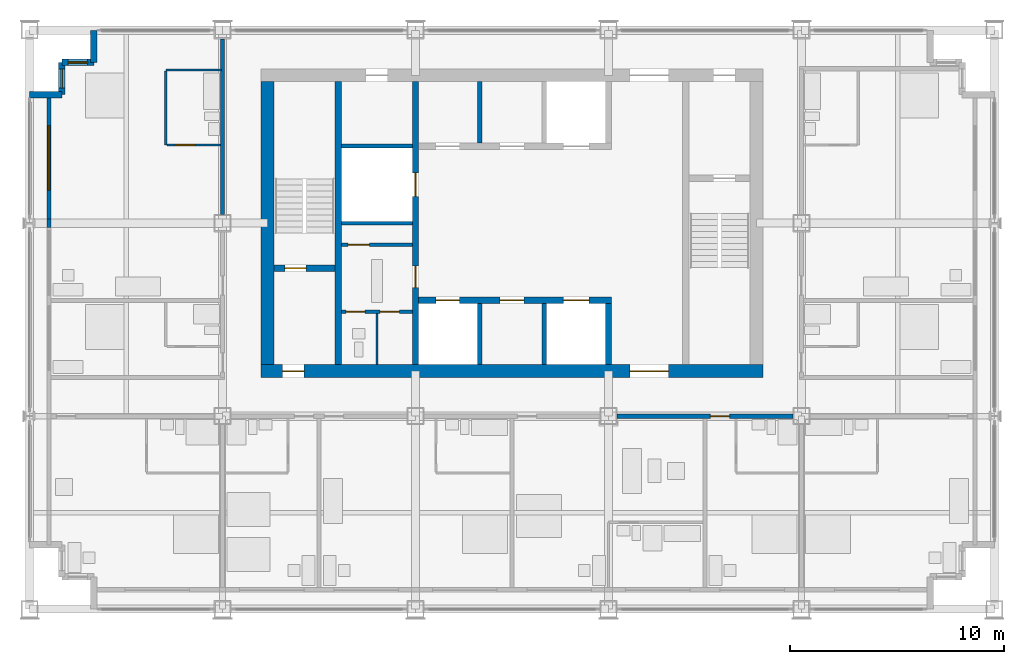
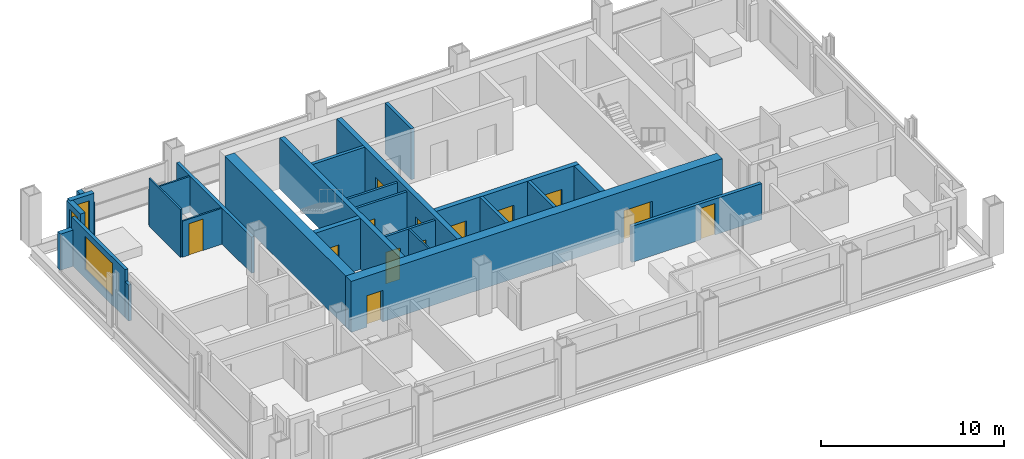
# One storey, part 8 of 13: 26 walls, 13 doors, 3 windows, 16 openings.
"""IFC4 building model written with IfcOpenShell, lengths in metres."""

from ifc_helpers import new_model, si_unit, direction, frame, frame_2d, origin, place, context, subcontext, project, spatial, rectangle, extrude, material, layer, layer_set, type_object, element, fill, save


model = new_model("IFC4")

# Units and contexts
model_context = context("Model", 3, precision=1e-05, world=origin(), true_north=direction((0.0, 1.0)))
body_context = subcontext(model_context, "Body", "Model", "MODEL_VIEW")
ifc_project = project(units=[si_unit("LENGTHUNIT", "METRE"), si_unit("AREAUNIT", "SQUARE_METRE"), si_unit("VOLUMEUNIT", "CUBIC_METRE"), si_unit("PLANEANGLEUNIT", "RADIAN"), si_unit("MASSUNIT", "GRAM", prefix="KILO")], contexts=[model_context])

# Site, building, storey
site_placement = place(None, origin())
site = spatial("IfcSite", under=ifc_project, at=site_placement, CompositionType="ELEMENT")
building_placement = place(site_placement, origin())
building = spatial("IfcBuilding", under=site, at=building_placement, Name="Loomwork Tower", CompositionType="ELEMENT")
storey_placement = place(building_placement, frame((0.0, 0.0, 211.39990234375)))
storey = spatial("IfcBuildingStorey", under=building, at=storey_placement, Name="L58", CompositionType="ELEMENT", Elevation=211.39990234375)

# Wall
ifc_material_1 = material(Name="Concrete 14000 psi (97 MPa)", Category="concrete")
ifc_layer_1 = layer(ifc_material_1, 0.300048828125)
ifc_layer_set_1 = layer_set([ifc_layer_1], Name="Core shear wall 300")
wall_type_1 = type_object("IfcWallType", Name="Core shear wall 300", PredefinedType="SHEAR", material=ifc_layer_set_1)
wall_1_placement = place(storey_placement, frame((14.39990234375, 11.39990234375, 0.0), z_axis=(0.0, 0.0, 1.0), x_axis=(0.0, 1.0, 0.0)))
element("IfcWall", 1, at=wall_1_placement, inside=storey, type_object=wall_type_1, Name="Stair A east wall L58", PredefinedType="SHEAR", context=body_context, shape_type="SweptSolid", body=[
    extrude(rectangle(XDim=13.2001953125, YDim=0.300048828125, at=frame_2d((6.60009765625, 0.0))), origin(), (0.0, 0.0, 1.0), 3.400146484375),
])

# Wall, opening, door
wall_2_placement = place(storey_placement, frame((11.39990234375, 15.89990234375, 0.0), z_axis=(0.0, 0.0, 1.0), x_axis=(1.0, 0.0, 0.0)))
wall_2 = element("IfcWall", 2, at=wall_2_placement, inside=storey, type_object=wall_type_1, Name="Stair A south wall L58", PredefinedType="SHEAR", context=body_context, shape_type="SweptSolid", body=[
    extrude(rectangle(XDim=2.85009765625, YDim=0.300048828125, at=frame_2d((1.425048828125, 0.0))), origin(), (0.0, 0.0, 1.0), 3.400146484375),
])
opening_1_placement = place(wall_2_placement, frame((0.5, 0.0, 0.0)))
opening_1 = element("IfcOpeningElement", 3, at=opening_1_placement, cuts=wall_2, Name="Opening D4", PredefinedType="OPENING", context=body_context, shape_type="SweptSolid", body=[
    extrude(rectangle(XDim=1.0, YDim=2.10009765625, at=frame_2d((0.5, 1.050048828125))), frame((0.0, 0.159912109375, 0.0), z_axis=(0.0, -1.0, 0.0), x_axis=(1.0, 0.0, 0.0)), (0.0, 0.0, 1.0), 0.320068359375),
])
ifc_material_2 = material(Name="Hollow metal door and frame")
door_type_1 = type_object("IfcDoorType", Name="Stair door 1000", OperationType="SINGLE_SWING_RIGHT", PredefinedType="DOOR", material=ifc_material_2)
door_1_placement = place(opening_1_placement, origin())
door_1 = element("IfcDoor", 4, at=door_1_placement, inside=storey, type_object=door_type_1, Name="Stair A door", OperationType="SINGLE_SWING_LEFT", OverallHeight=2.10009765625, OverallWidth=1.0, PredefinedType="DOOR", context=body_context, shape_type="SweptSolid", body=[
    extrude(rectangle(XDim=1.0, YDim=2.10009765625, at=frame_2d((0.5, 1.050048828125))), frame((0.0, 0.02490234375, 0.0), z_axis=(0.0, -1.0, 0.0), x_axis=(1.0, 0.0, 0.0)), (0.0, 0.0, 1.0), 0.050048828125),
])
fill(opening_1, door_1)

# Wall, openings, doors
wall_3_placement = place(storey_placement, frame((18.0, 11.39990234375, 0.0), z_axis=(0.0, 0.0, 1.0), x_axis=(0.0, 1.0, 0.0)))
wall_3 = element("IfcWall", 5, at=wall_3_placement, inside=storey, type_object=wall_type_1, Name="Lobby west wall L58", PredefinedType="SHEAR", context=body_context, shape_type="SweptSolid", body=[
    extrude(rectangle(XDim=13.2001953125, YDim=0.300048828125, at=frame_2d((6.60009765625, 0.0))), origin(), (0.0, 0.0, 1.0), 3.400146484375),
])
opening_2_placement = place(wall_3_placement, frame((3.60009765625, 0.0, 0.0)))
opening_2 = element("IfcOpeningElement", 6, at=opening_2_placement, cuts=wall_3, Name="Opening D5", PredefinedType="OPENING", context=body_context, shape_type="SweptSolid", body=[
    extrude(rectangle(XDim=1.0, YDim=2.10009765625, at=frame_2d((0.5, 1.050048828125))), frame((0.0, 0.159912109375, 0.0), z_axis=(0.0, -1.0, 0.0), x_axis=(1.0, 0.0, 0.0)), (0.0, 0.0, 1.0), 0.320068359375),
])
opening_3_placement = place(wall_3_placement, frame((7.85009765625, 0.0, 0.0)))
opening_3 = element("IfcOpeningElement", 7, at=opening_3_placement, cuts=wall_3, Name="Opening LD1", PredefinedType="OPENING", context=body_context, shape_type="SweptSolid", body=[
    extrude(rectangle(XDim=1.10009765625, YDim=2.10009765625, at=frame_2d((0.550048828125, 1.050048828125))), frame((0.0, 0.159912109375, 0.0), z_axis=(0.0, -1.0, 0.0), x_axis=(1.0, 0.0, 0.0)), (0.0, 0.0, 1.0), 0.320068359375),
])
ifc_material_3 = material(Name="Hollow metal door and frame")
door_type_2 = type_object("IfcDoorType", Name="Lift landing door 1100", OperationType="SLIDING_TO_LEFT", PredefinedType="DOOR", material=ifc_material_3)
door_2_placement = place(opening_3_placement, origin())
door_2 = element("IfcDoor", 8, at=door_2_placement, inside=storey, type_object=door_type_2, Name="Lift landing door LC2", OperationType="SLIDING_TO_LEFT", OverallHeight=2.10009765625, OverallWidth=1.10009765625, PredefinedType="DOOR", context=body_context, shape_type="SweptSolid", body=[
    extrude(rectangle(XDim=1.10009765625, YDim=2.10009765625, at=frame_2d((0.550048828125, 1.050048828125))), frame((0.0, 0.02490234375, 0.0), z_axis=(0.0, -1.0, 0.0), x_axis=(1.0, 0.0, 0.0)), (0.0, 0.0, 1.0), 0.050048828125),
])
fill(opening_3, door_2)
ifc_material_4 = material(Name="Hollow metal door and frame")
door_type_3 = type_object("IfcDoorType", Name="Service door 1000", OperationType="SINGLE_SWING_LEFT", PredefinedType="DOOR", material=ifc_material_4)
door_3_placement = place(opening_2_placement, origin())
door_3 = element("IfcDoor", 9, at=door_3_placement, inside=storey, type_object=door_type_3, Name="Back-of-house door south", OperationType="SINGLE_SWING_LEFT", OverallHeight=2.10009765625, OverallWidth=1.0, PredefinedType="DOOR", context=body_context, shape_type="SweptSolid", body=[
    extrude(rectangle(XDim=1.0, YDim=2.10009765625, at=frame_2d((0.5, 1.050048828125))), frame((0.0, 0.02490234375, 0.0), z_axis=(0.0, -1.0, 0.0), x_axis=(1.0, 0.0, 0.0)), (0.0, 0.0, 1.0), 0.050048828125),
])
fill(opening_2, door_3)

wall_4_placement = place(storey_placement, frame((18.14990234375, 14.39990234375, 0.0), z_axis=(0.0, 0.0, 1.0), x_axis=(1.0, 0.0, 0.0)))
wall_4 = element("IfcWall", 10, at=wall_4_placement, inside=storey, type_object=wall_type_1, Name="Lift front wall south L58", PredefinedType="SHEAR", context=body_context, shape_type="SweptSolid", body=[
    extrude(rectangle(XDim=9.0, YDim=0.300048828125, at=frame_2d((4.5, 0.0))), origin(), (0.0, 0.0, 1.0), 3.400146484375),
])
opening_4_placement = place(wall_4_placement, frame((0.800048828125, 0.0, 0.0)))
opening_4 = element("IfcOpeningElement", 11, at=opening_4_placement, cuts=wall_4, Name="Opening LD1", PredefinedType="OPENING", context=body_context, shape_type="SweptSolid", body=[
    extrude(rectangle(XDim=1.10009765625, YDim=2.10009765625, at=frame_2d((0.550048828125, 1.050048828125))), frame((0.0, 0.159912109375, 0.0), z_axis=(0.0, -1.0, 0.0), x_axis=(1.0, 0.0, 0.0)), (0.0, 0.0, 1.0), 0.320068359375),
])
opening_5_placement = place(wall_4_placement, frame((6.75, 0.0, 0.0)))
opening_5 = element("IfcOpeningElement", 12, at=opening_5_placement, cuts=wall_4, Name="Opening LD2", PredefinedType="OPENING", context=body_context, shape_type="SweptSolid", body=[
    extrude(rectangle(XDim=1.199951171875, YDim=2.10009765625, at=frame_2d((0.60009765625, 1.050048828125))), frame((0.0, 0.159912109375, 0.0), z_axis=(0.0, -1.0, 0.0), x_axis=(1.0, 0.0, 0.0)), (0.0, 0.0, 1.0), 0.320068359375),
])
opening_6_placement = place(wall_4_placement, frame((3.800048828125, 0.0, 0.0)))
opening_6 = element("IfcOpeningElement", 13, at=opening_6_placement, cuts=wall_4, Name="Opening D17", PredefinedType="OPENING", context=body_context, shape_type="SweptSolid", body=[
    extrude(rectangle(XDim=1.10009765625, YDim=2.10009765625, at=frame_2d((0.550048828125, 1.050048828125))), frame((0.0, 0.159912109375, 0.0), z_axis=(0.0, -1.0, 0.0), x_axis=(1.0, 0.0, 0.0)), (0.0, 0.0, 1.0), 0.320068359375),
])
door_4_placement = place(opening_4_placement, origin())
door_4 = element("IfcDoor", 14, at=door_4_placement, inside=storey, type_object=door_type_2, Name="Lift landing door LC1", OperationType="SLIDING_TO_LEFT", OverallHeight=2.10009765625, OverallWidth=1.10009765625, PredefinedType="DOOR", context=body_context, shape_type="SweptSolid", body=[
    extrude(rectangle(XDim=1.10009765625, YDim=2.10009765625, at=frame_2d((0.550048828125, 1.050048828125))), frame((0.0, 0.02490234375, 0.0), z_axis=(0.0, -1.0, 0.0), x_axis=(1.0, 0.0, 0.0)), (0.0, 0.0, 1.0), 0.050048828125),
])
fill(opening_4, door_4)
ifc_material_5 = material(Name="Hollow metal door and frame")
door_type_4 = type_object("IfcDoorType", Name="Lift landing door 1200", OperationType="SLIDING_TO_LEFT", PredefinedType="DOOR", material=ifc_material_5)
door_5_placement = place(opening_5_placement, origin())
door_5 = element("IfcDoor", 15, at=door_5_placement, inside=storey, type_object=door_type_4, Name="Lift landing door LF1", OperationType="SLIDING_TO_LEFT", OverallHeight=2.10009765625, OverallWidth=1.199951171875, PredefinedType="DOOR", context=body_context, shape_type="SweptSolid", body=[
    extrude(rectangle(XDim=1.199951171875, YDim=2.10009765625, at=frame_2d((0.60009765625, 1.050048828125))), frame((0.0, 0.02490234375, 0.0), z_axis=(0.0, -1.0, 0.0), x_axis=(1.0, 0.0, 0.0)), (0.0, 0.0, 1.0), 0.050048828125),
])
fill(opening_5, door_5)
ifc_material_6 = material(Name="Hollow metal door and frame")
door_type_5 = type_object("IfcDoorType", Name="Service room door 1100", OperationType="SINGLE_SWING_LEFT", PredefinedType="DOOR", material=ifc_material_6)
door_6_placement = place(opening_6_placement, frame((1.10009765625, 0.0, 0.0), z_axis=(0.0, 0.0, 1.0), x_axis=(-1.0, 0.0, 0.0)))
door_6 = element("IfcDoor", 16, at=door_6_placement, inside=storey, type_object=door_type_5, Name="Housekeeping store door L58", OperationType="SINGLE_SWING_RIGHT", OverallHeight=2.10009765625, OverallWidth=1.10009765625, PredefinedType="DOOR", context=body_context, shape_type="SweptSolid", body=[
    extrude(rectangle(XDim=1.10009765625, YDim=2.10009765625, at=frame_2d((0.550048828125, 1.050048828125))), frame((0.0, 0.02490234375, 0.0), z_axis=(0.0, -1.0, 0.0), x_axis=(1.0, 0.0, 0.0)), (0.0, 0.0, 1.0), 0.050048828125),
])
fill(opening_6, door_6)

# Wall
wall_5_placement = place(storey_placement, frame((27.0, 11.39990234375, 0.0), z_axis=(0.0, 0.0, 1.0), x_axis=(0.0, 1.0, 0.0)))
element("IfcWall", 17, at=wall_5_placement, inside=storey, type_object=wall_type_1, Name="Lift shaft end wall south L58", PredefinedType="SHEAR", context=body_context, shape_type="SweptSolid", body=[
    extrude(rectangle(XDim=2.85009765625, YDim=0.300048828125, at=frame_2d((1.425048828125, 0.0))), origin(), (0.0, 0.0, 1.0), 3.400146484375),
])

# Wall, openings, doors
ifc_material_7 = material(Name="Concrete 14000 psi (97 MPa)", Category="concrete")
ifc_layer_2 = layer(ifc_material_7, 0.60009765625)
ifc_layer_set_2 = layer_set([ifc_layer_2], Name="Core shear wall 600")
wall_type_2 = type_object("IfcWallType", Name="Core shear wall 600", PredefinedType="SHEAR", material=ifc_layer_set_2)
wall_6_placement = place(storey_placement, frame((10.800048828125, 11.10009765625, 0.0), z_axis=(0.0, 0.0, 1.0), x_axis=(1.0, 0.0, 0.0)))
wall_6 = element("IfcWall", 18, at=wall_6_placement, inside=storey, type_object=wall_type_2, Name="Core wall south L58", PredefinedType="SHEAR", context=body_context, shape_type="SweptSolid", body=[
    extrude(rectangle(XDim=23.39990234375, YDim=0.60009765625, at=frame_2d((11.699951171875, 0.0))), origin(), (0.0, 0.0, 1.0), 3.400146484375),
])
opening_7_placement = place(wall_6_placement, frame((1.0, 0.0, 0.0)))
opening_7 = element("IfcOpeningElement", 19, at=opening_7_placement, cuts=wall_6, Name="Opening D4", PredefinedType="OPENING", context=body_context, shape_type="SweptSolid", body=[
    extrude(rectangle(XDim=1.0, YDim=2.10009765625, at=frame_2d((0.5, 1.050048828125))), frame((0.0, 0.31005859375, 0.0), z_axis=(0.0, -1.0, 0.0), x_axis=(1.0, 0.0, 0.0)), (0.0, 0.0, 1.0), 0.6201171875),
])
opening_8_placement = place(wall_6_placement, frame((17.199951171875, 0.0, 0.0)))
opening_8 = element("IfcOpeningElement", 20, at=opening_8_placement, cuts=wall_6, Name="Opening D6", PredefinedType="OPENING", context=body_context, shape_type="SweptSolid", body=[
    extrude(rectangle(XDim=1.800048828125, YDim=2.10009765625, at=frame_2d((0.89990234375, 1.050048828125))), frame((0.0, 0.31005859375, 0.0), z_axis=(0.0, -1.0, 0.0), x_axis=(1.0, 0.0, 0.0)), (0.0, 0.0, 1.0), 0.6201171875),
])
ifc_material_8 = material(Name="Hollow metal door and frame")
door_type_6 = type_object("IfcDoorType", Name="Lobby passage double door 1800", OperationType="DOUBLE_DOOR_SINGLE_SWING", PredefinedType="DOOR", material=ifc_material_8)
door_7_placement = place(opening_8_placement, origin())
door_7 = element("IfcDoor", 21, at=door_7_placement, inside=storey, type_object=door_type_6, Name="Lobby passage door south", OperationType="DOUBLE_DOOR_SINGLE_SWING", OverallHeight=2.10009765625, OverallWidth=1.800048828125, PredefinedType="DOOR", context=body_context, shape_type="SweptSolid", body=[
    extrude(rectangle(XDim=1.800048828125, YDim=2.10009765625, at=frame_2d((0.89990234375, 1.050048828125))), frame((0.0, 0.02490234375, 0.0), z_axis=(0.0, -1.0, 0.0), x_axis=(1.0, 0.0, 0.0)), (0.0, 0.0, 1.0), 0.050048828125),
])
fill(opening_8, door_7)
door_8_placement = place(opening_7_placement, origin())
door_8 = element("IfcDoor", 22, at=door_8_placement, inside=storey, type_object=door_type_1, Name="Stair A vestibule door", OperationType="SINGLE_SWING_LEFT", OverallHeight=2.10009765625, OverallWidth=1.0, PredefinedType="DOOR", context=body_context, shape_type="SweptSolid", body=[
    extrude(rectangle(XDim=1.0, YDim=2.10009765625, at=frame_2d((0.5, 1.050048828125))), frame((0.0, 0.02490234375, 0.0), z_axis=(0.0, -1.0, 0.0), x_axis=(1.0, 0.0, 0.0)), (0.0, 0.0, 1.0), 0.050048828125),
])
fill(opening_7, door_8)

# Wall
wall_7_placement = place(storey_placement, frame((11.10009765625, 11.39990234375, 0.0), z_axis=(0.0, 0.0, 1.0), x_axis=(0.0, 1.0, 0.0)))
element("IfcWall", 23, at=wall_7_placement, inside=storey, type_object=wall_type_2, Name="Core wall west L58", PredefinedType="SHEAR", context=body_context, shape_type="SweptSolid", body=[
    extrude(rectangle(XDim=13.2001953125, YDim=0.60009765625, at=frame_2d((6.60009765625, 0.0))), origin(), (0.0, 0.0, 1.0), 3.400146484375),
])

# Wall, opening, door
ifc_material_9 = material(Name="Gypsum board on steel studs, one-hour", Category="steel")
ifc_layer_3 = layer(ifc_material_9, 0.199951171875)
ifc_layer_set_3 = layer_set([ifc_layer_3], Name="Corridor wall 200")
wall_type_3 = type_object("IfcWallType", Name="Corridor wall 200", PredefinedType="PARTITIONING", material=ifc_layer_set_3)
wall_8_placement = place(storey_placement, frame((27.39990234375, 9.0, 0.0), z_axis=(0.0, 0.0, 1.0), x_axis=(1.0, 0.0, 0.0)))
wall_8 = element("IfcWall", 24, at=wall_8_placement, inside=storey, type_object=wall_type_3, Name="South corridor wall 4", PredefinedType="PARTITIONING", context=body_context, shape_type="SweptSolid", body=[
    extrude(rectangle(XDim=8.2001953125, YDim=0.199951171875, at=frame_2d((4.10009765625, 0.0))), origin(), (0.0, 0.0, 1.0), 2.405029296875),
])
opening_9_placement = place(wall_8_placement, frame((4.35009765625, 0.0, 0.0)))
opening_9 = element("IfcOpeningElement", 25, at=opening_9_placement, cuts=wall_8, Name="Opening D1", PredefinedType="OPENING", context=body_context, shape_type="SweptSolid", body=[
    extrude(rectangle(XDim=0.89990234375, YDim=2.10009765625, at=frame_2d((0.449951171875, 1.050048828125))), frame((0.0, 0.10986328125, 0.0), z_axis=(0.0, -1.0, 0.0), x_axis=(1.0, 0.0, 0.0)), (0.0, 0.0, 1.0), 0.219970703125),
])
ifc_material_10 = material(Name="Hollow metal door and frame")
door_type_7 = type_object("IfcDoorType", Name="Guest room entry door 900", OperationType="SINGLE_SWING_LEFT", PredefinedType="DOOR", material=ifc_material_10)
door_9_placement = place(opening_9_placement, frame((0.89990234375, 0.0, 0.0), z_axis=(0.0, 0.0, 1.0), x_axis=(-1.0, 0.0, 0.0)))
door_9 = element("IfcDoor", 26, at=door_9_placement, inside=storey, type_object=door_type_7, Name="Guest room entry door L58 5", OperationType="SINGLE_SWING_RIGHT", OverallHeight=2.10009765625, OverallWidth=0.89990234375, PredefinedType="DOOR", context=body_context, shape_type="SweptSolid", body=[
    extrude(rectangle(XDim=0.89990234375, YDim=2.10009765625, at=frame_2d((0.449951171875, 1.050048828125))), frame((0.0, 0.02490234375, 0.0), z_axis=(0.0, -1.0, 0.0), x_axis=(1.0, 0.0, 0.0)), (0.0, 0.0, 1.0), 0.050048828125),
])
fill(opening_9, door_9)

# Walls
wall_9_placement = place(storey_placement, frame((9.0, 18.39990234375, 0.0), z_axis=(0.0, 0.0, 1.0), x_axis=(0.0, 1.0, 0.0)))
element("IfcWall", 27, at=wall_9_placement, inside=storey, type_object=wall_type_3, Name="West corridor wall 2", PredefinedType="PARTITIONING", context=body_context, shape_type="SweptSolid", body=[
    extrude(rectangle(XDim=8.2001953125, YDim=0.199951171875, at=frame_2d((4.10009765625, 0.0))), origin(), (0.0, 0.0, 1.0), 2.405029296875),
])
ifc_material_11 = material(Name="Cement board on steel studs", Category="steel")
ifc_layer_4 = layer(ifc_material_11, 0.10009765625)
ifc_layer_set_4 = layer_set([ifc_layer_4], Name="En-suite partition 100")
wall_type_4 = type_object("IfcWallType", Name="En-suite partition 100", PredefinedType="PARTITIONING", material=ifc_layer_set_4)
wall_10_placement = place(storey_placement, frame((6.35009765625, 21.64990234375, 0.0), z_axis=(0.0, 0.0, 1.0), x_axis=(0.0, 1.0, 0.0)))
element("IfcWall", 28, at=wall_10_placement, inside=storey, type_object=wall_type_4, Name="En-suite wall L58 room 8", PredefinedType="PARTITIONING", context=body_context, shape_type="SweptSolid", body=[
    extrude(rectangle(XDim=3.4501953125, YDim=0.10009765625, at=frame_2d((1.72509765625, 0.0))), origin(), (0.0, 0.0, 1.0), 3.2001953125),
])

# Wall, opening, door
wall_11_placement = place(storey_placement, frame((8.89990234375, 21.64990234375, 0.0), z_axis=(0.0, 0.0, 1.0), x_axis=(-1.0, 0.0, 0.0)))
wall_11 = element("IfcWall", 29, at=wall_11_placement, inside=storey, type_object=wall_type_4, Name="En-suite side wall L58 room 8", PredefinedType="PARTITIONING", context=body_context, shape_type="SweptSolid", body=[
    extrude(rectangle(XDim=2.5, YDim=0.10009765625, at=frame_2d((1.25, 0.0))), origin(), (0.0, 0.0, 1.0), 2.404052734375),
])
opening_10_placement = place(wall_11_placement, frame((1.199951171875, 0.0, 0.0)))
opening_10 = element("IfcOpeningElement", 30, at=opening_10_placement, cuts=wall_11, Name="Opening D2", PredefinedType="OPENING", context=body_context, shape_type="SweptSolid", body=[
    extrude(rectangle(XDim=0.89990234375, YDim=2.10009765625, at=frame_2d((0.449951171875, 1.050048828125))), frame((0.0, 0.06005859375, 0.0), z_axis=(0.0, -1.0, 0.0), x_axis=(1.0, 0.0, 0.0)), (0.0, 0.0, 1.0), 0.1201171875),
])
ifc_material_12 = material(Name="Hollow metal door and frame")
door_type_8 = type_object("IfcDoorType", Name="En-suite door 900", OperationType="SINGLE_SWING_LEFT", PredefinedType="DOOR", material=ifc_material_12)
door_10_placement = place(opening_10_placement, frame((0.89990234375, 0.0, 0.0), z_axis=(0.0, 0.0, 1.0), x_axis=(-1.0, 0.0, 0.0)))
door_10 = element("IfcDoor", 31, at=door_10_placement, inside=storey, type_object=door_type_8, Name="En-suite door room 8", OperationType="SINGLE_SWING_LEFT", OverallHeight=2.10009765625, OverallWidth=0.89990234375, PredefinedType="DOOR", context=body_context, shape_type="SweptSolid", body=[
    extrude(rectangle(XDim=0.89990234375, YDim=2.10009765625, at=frame_2d((0.449951171875, 1.050048828125))), frame((0.0, 0.02490234375, 0.0), z_axis=(0.0, -1.0, 0.0), x_axis=(1.0, 0.0, 0.0)), (0.0, 0.0, 1.0), 0.050048828125),
])
fill(opening_10, door_10)

# Walls
wall_12_placement = place(storey_placement, frame((6.35009765625, 25.14990234375, 0.0), z_axis=(0.0, 0.0, 1.0), x_axis=(1.0, 0.0, 0.0)))
element("IfcWall", 32, at=wall_12_placement, inside=storey, type_object=wall_type_4, Name="En-suite wall L58 stub", PredefinedType="PARTITIONING", context=body_context, shape_type="SweptSolid", body=[
    extrude(rectangle(XDim=2.599853515625, YDim=0.10009765625, at=frame_2d((1.2998046875, 0.0))), origin(), (0.0, 0.0, 1.0), 2.404052734375),
])
wall_13_placement = place(storey_placement, frame((16.199951171875, 11.39990234375, 0.0), z_axis=(0.0, 0.0, 1.0), x_axis=(0.0, 1.0, 0.0)))
element("IfcWall", 33, at=wall_13_placement, inside=storey, type_object=wall_type_4, Name="Back-of-house partition L58 2", PredefinedType="PARTITIONING", context=body_context, shape_type="SweptSolid", body=[
    extrude(rectangle(XDim=2.400146484375, YDim=0.10009765625, at=frame_2d((1.2001953125, 0.0))), origin(), (0.0, 0.0, 1.0), 3.2001953125),
])
ifc_material_13 = material(Name="Insulated steel stud wall with gypsum lining", Category="steel")
ifc_layer_5 = layer(ifc_material_13, 0.199951171875)
ifc_layer_set_5 = layer_set([ifc_layer_5], Name="Inner skin wall 200")
wall_type_5 = type_object("IfcWallType", Name="Inner skin wall 200", PredefinedType="SOLIDWALL", material=ifc_layer_set_5)
wall_14_placement = place(storey_placement, frame((0.89990234375, 17.80615234375, 0.0), z_axis=(0.0, 0.0, 1.0), x_axis=(0.0, 1.0, 0.0)))
element("IfcWall", 34, at=wall_14_placement, inside=storey, type_object=wall_type_5, Name="Inner skin wall W bay 6", PredefinedType="SOLIDWALL", context=body_context, shape_type="SweptSolid", body=[
    extrude(rectangle(XDim=0.3876953125, YDim=0.199951171875, at=frame_2d((0.19384765625, 0.0))), origin(), (0.0, 0.0, 1.0), 2.404052734375),
])

# Wall, opening, window
wall_15_placement = place(storey_placement, frame((0.89990234375, 18.19384765625, 0.0), z_axis=(0.0, 0.0, 1.0), x_axis=(0.0, 1.0, 0.0)))
wall_15 = element("IfcWall", 35, at=wall_15_placement, inside=storey, type_object=wall_type_5, Name="Inner skin wall W bay 7", PredefinedType="SOLIDWALL", context=body_context, shape_type="SweptSolid", body=[
    extrude(rectangle(XDim=5.80615234375, YDim=0.199951171875, at=frame_2d((2.903076171875, 0.0))), origin(), (0.0, 0.0, 1.0), 3.2001953125),
])
opening_11_placement = place(wall_15_placement, frame((1.356201171875, 0.0, 0.60009765625)))
opening_11 = element("IfcOpeningElement", 36, at=opening_11_placement, cuts=wall_15, Name="Opening CH1", PredefinedType="OPENING", context=body_context, shape_type="SweptSolid", body=[
    extrude(rectangle(XDim=3.0, YDim=2.199951171875, at=frame_2d((1.5, 1.10009765625))), frame((0.0, 0.10986328125, 0.0), z_axis=(0.0, -1.0, 0.0), x_axis=(1.0, 0.0, 0.0)), (0.0, 0.0, 1.0), 0.219970703125),
])
ifc_material_14 = material(Name="Aluminium frame with clear insulated glass", Category="aluminium")
window_type_1 = type_object("IfcWindowType", Name="Chicago window 3000", PartitioningType="TRIPLE_PANEL_VERTICAL", PredefinedType="WINDOW", material=ifc_material_14)
window_1_placement = place(opening_11_placement, origin())
window_1 = element("IfcWindow", 37, at=window_1_placement, inside=storey, type_object=window_type_1, Name="Chicago window L58 bay 7", OverallHeight=2.199951171875, OverallWidth=3.0, PartitioningType="TRIPLE_PANEL_VERTICAL", PredefinedType="WINDOW", context=body_context, shape_type="SweptSolid", body=[
    extrude(rectangle(XDim=3.0, YDim=2.199951171875, at=frame_2d((1.5, 1.10009765625))), frame((0.0, 0.030029296875, 0.0), z_axis=(0.0, -1.0, 0.0), x_axis=(1.0, 0.0, 0.0)), (0.0, 0.0, 1.0), 0.06005859375),
])
fill(opening_11, window_1)

# Walls
ifc_material_15 = material(Name="Concrete 14000 psi (97 MPa)", Category="concrete")
ifc_layer_6 = layer(ifc_material_15, 0.199951171875)
ifc_layer_set_6 = layer_set([ifc_layer_6], Name="Lift shaft wall 200")
wall_type_6 = type_object("IfcWallType", Name="Lift shaft wall 200", PredefinedType="SHEAR", material=ifc_layer_set_6)
for number, where, z_axis, x_axis, name in (
    (38, (21.0, 11.39990234375, 0.0), (0.0, 0.0, 1.0), (0.0, 1.0, 0.0), "Lift shaft separation wall south 1 L58"),
    (39, (24.0, 11.39990234375, 0.0), (0.0, 0.0, 1.0), (0.0, 1.0, 0.0), "Lift shaft separation wall south 2 L58"),
    (40, (21.0, 21.75, 0.0), (0.0, 0.0, 1.0), (0.0, 1.0, 0.0), "Lift shaft separation wall north 1 L58"),
):
    element("IfcWall", number, at=place(storey_placement, frame(where, z_axis=z_axis, x_axis=x_axis)), inside=storey, type_object=wall_type_6, Name=name, PredefinedType="SHEAR", context=body_context, shape_type="SweptSolid", body=[
        extrude(rectangle(XDim=2.85009765625, YDim=0.199951171875, at=frame_2d((1.425048828125, 0.0))), origin(), (0.0, 0.0, 1.0), 3.400146484375),
    ])
wall_16_placement = place(storey_placement, frame((14.550048828125, 21.60009765625, 0.0), z_axis=(0.0, 0.0, 1.0), x_axis=(1.0, 0.0, 0.0)))
element("IfcWall", 41, at=wall_16_placement, inside=storey, type_object=wall_type_6, Name="Lift shaft wall west north L58", PredefinedType="SHEAR", context=body_context, shape_type="SweptSolid", body=[
    extrude(rectangle(XDim=3.300048828125, YDim=0.199951171875, at=frame_2d((1.64990234375, 0.0))), origin(), (0.0, 0.0, 1.0), 3.400146484375),
])
ifc_material_16 = material(Name="Limestone on concrete masonry", Category="masonry")
ifc_layer_7 = layer(ifc_material_16, 0.300048828125)
ifc_layer_set_7 = layer_set([ifc_layer_7], Name="Limestone corner wall 300")
wall_type_7 = type_object("IfcWallType", Name="Limestone corner wall 300", PredefinedType="SOLIDWALL", material=ifc_layer_set_7)
wall_17_placement = place(storey_placement, frame((3.0, 27.0, 0.0), z_axis=(0.0, 0.0, 1.0), x_axis=(0.0, -1.0, 0.0)))
element("IfcWall", 42, at=wall_17_placement, inside=storey, type_object=wall_type_7, Name="Stone corner wall NW 1", PredefinedType="SOLIDWALL", context=body_context, shape_type="SweptSolid", body=[
    extrude(rectangle(XDim=1.5, YDim=0.300048828125, at=frame_2d((0.75, 0.0))), origin(), (0.0, 0.0, 1.0), 2.420166015625),
])

# Wall, opening, window
wall_18_placement = place(storey_placement, frame((3.0, 25.5, 0.0), z_axis=(0.0, 0.0, 1.0), x_axis=(-1.0, 0.0, 0.0)))
wall_18 = element("IfcWall", 43, at=wall_18_placement, inside=storey, type_object=wall_type_7, Name="Stone corner wall NW 2", PredefinedType="SOLIDWALL", context=body_context, shape_type="SweptSolid", body=[
    extrude(rectangle(XDim=1.5, YDim=0.300048828125, at=frame_2d((0.75, 0.0))), origin(), (0.0, 0.0, 1.0), 3.2001953125),
])
opening_12_placement = place(wall_18_placement, frame((0.300048828125, 0.0, 0.60009765625)))
opening_12 = element("IfcOpeningElement", 44, at=opening_12_placement, cuts=wall_18, Name="Opening CH2", PredefinedType="OPENING", context=body_context, shape_type="SweptSolid", body=[
    extrude(rectangle(XDim=0.89990234375, YDim=2.199951171875, at=frame_2d((0.449951171875, 1.10009765625))), frame((0.0, 0.159912109375, 0.0), z_axis=(0.0, -1.0, 0.0), x_axis=(1.0, 0.0, 0.0)), (0.0, 0.0, 1.0), 0.320068359375),
])
ifc_material_17 = material(Name="Aluminium frame with clear insulated glass", Category="aluminium")
window_type_2 = type_object("IfcWindowType", Name="Corner window 900", PartitioningType="SINGLE_PANEL", PredefinedType="WINDOW", material=ifc_material_17)
window_2_placement = place(opening_12_placement, origin())
window_2 = element("IfcWindow", 45, at=window_2_placement, inside=storey, type_object=window_type_2, Name="Corner window NW", OverallHeight=2.199951171875, OverallWidth=0.89990234375, PartitioningType="SINGLE_PANEL", PredefinedType="WINDOW", context=body_context, shape_type="SweptSolid", body=[
    extrude(rectangle(XDim=0.89990234375, YDim=2.199951171875, at=frame_2d((0.449951171875, 1.10009765625))), frame((0.0, 0.030029296875, 0.0), z_axis=(0.0, -1.0, 0.0), x_axis=(1.0, 0.0, 0.0)), (0.0, 0.0, 1.0), 0.06005859375),
])
fill(opening_12, window_2)

wall_19_placement = place(storey_placement, frame((1.5, 25.5, 0.0), z_axis=(0.0, 0.0, 1.0), x_axis=(0.0, -1.0, 0.0)))
wall_19 = element("IfcWall", 46, at=wall_19_placement, inside=storey, type_object=wall_type_7, Name="Stone corner wall NW 3", PredefinedType="SOLIDWALL", context=body_context, shape_type="SweptSolid", body=[
    extrude(rectangle(XDim=1.5, YDim=0.300048828125, at=frame_2d((0.75, 0.0))), origin(), (0.0, 0.0, 1.0), 3.2001953125),
])
opening_13_placement = place(wall_19_placement, frame((0.300048828125, 0.0, 0.60009765625)))
opening_13 = element("IfcOpeningElement", 47, at=opening_13_placement, cuts=wall_19, Name="Opening CH2", PredefinedType="OPENING", context=body_context, shape_type="SweptSolid", body=[
    extrude(rectangle(XDim=0.89990234375, YDim=2.199951171875, at=frame_2d((0.449951171875, 1.10009765625))), frame((0.0, 0.159912109375, 0.0), z_axis=(0.0, -1.0, 0.0), x_axis=(1.0, 0.0, 0.0)), (0.0, 0.0, 1.0), 0.320068359375),
])
window_3_placement = place(opening_13_placement, origin())
window_3 = element("IfcWindow", 48, at=window_3_placement, inside=storey, type_object=window_type_2, Name="Corner window NW", OverallHeight=2.199951171875, OverallWidth=0.89990234375, PartitioningType="SINGLE_PANEL", PredefinedType="WINDOW", context=body_context, shape_type="SweptSolid", body=[
    extrude(rectangle(XDim=0.89990234375, YDim=2.199951171875, at=frame_2d((0.449951171875, 1.10009765625))), frame((0.0, 0.030029296875, 0.0), z_axis=(0.0, -1.0, 0.0), x_axis=(1.0, 0.0, 0.0)), (0.0, 0.0, 1.0), 0.06005859375),
])
fill(opening_13, window_3)

# Walls
wall_20_placement = place(storey_placement, frame((1.5, 24.0, 0.0), z_axis=(0.0, 0.0, 1.0), x_axis=(-1.0, 0.0, 0.0)))
element("IfcWall", 49, at=wall_20_placement, inside=storey, type_object=wall_type_7, Name="Stone corner wall NW 4", PredefinedType="SOLIDWALL", context=body_context, shape_type="SweptSolid", body=[
    extrude(rectangle(XDim=1.5, YDim=0.300048828125, at=frame_2d((0.75, 0.0))), origin(), (0.0, 0.0, 1.0), 2.420166015625),
])
ifc_material_18 = material(Name="Gypsum board on steel studs", Category="steel")
ifc_layer_8 = layer(ifc_material_18, 0.14990234375)
ifc_layer_set_8 = layer_set([ifc_layer_8], Name="Partition 150 two-hour")
wall_type_8 = type_object("IfcWallType", Name="Partition 150 two-hour", PredefinedType="PARTITIONING", material=ifc_layer_set_8)
wall_21_placement = place(storey_placement, frame((14.550048828125, 18.0, 0.0), z_axis=(0.0, 0.0, 1.0), x_axis=(1.0, 0.0, 0.0)))
element("IfcWall", 50, at=wall_21_placement, inside=storey, type_object=wall_type_8, Name="Back-of-house dividing wall L58", PredefinedType="PARTITIONING", context=body_context, shape_type="SweptSolid", body=[
    extrude(rectangle(XDim=3.300048828125, YDim=0.14990234375, at=frame_2d((1.64990234375, 0.0))), origin(), (0.0, 0.0, 1.0), 3.2001953125),
])

# Wall, opening, door
ifc_material_19 = material(Name="Gypsum board on steel studs, one-hour", Category="steel")
ifc_layer_9 = layer(ifc_material_19, 0.14990234375)
ifc_layer_set_9 = layer_set([ifc_layer_9], Name="Service partition 150")
wall_type_9 = type_object("IfcWallType", Name="Service partition 150", PredefinedType="PARTITIONING", material=ifc_layer_set_9)
wall_22_placement = place(storey_placement, frame((14.550048828125, 17.0, 0.0), z_axis=(0.0, 0.0, 1.0), x_axis=(1.0, 0.0, 0.0)))
wall_22 = element("IfcWall", 51, at=wall_22_placement, inside=storey, type_object=wall_type_9, Name="Riser enclosure L58", PredefinedType="PARTITIONING", context=body_context, shape_type="SweptSolid", body=[
    extrude(rectangle(XDim=3.300048828125, YDim=0.14990234375, at=frame_2d((1.64990234375, 0.0))), origin(), (0.0, 0.0, 1.0), 3.2001953125),
])
opening_14_placement = place(wall_22_placement, frame((0.300048828125, 0.0, 0.0)))
opening_14 = element("IfcOpeningElement", 52, at=opening_14_placement, cuts=wall_22, Name="Opening D18", PredefinedType="OPENING", context=body_context, shape_type="SweptSolid", body=[
    extrude(rectangle(XDim=1.0, YDim=2.10009765625, at=frame_2d((0.5, 1.050048828125))), frame((0.0, 0.0849609375, 0.0), z_axis=(0.0, -1.0, 0.0), x_axis=(1.0, 0.0, 0.0)), (0.0, 0.0, 1.0), 0.169921875),
])
ifc_material_20 = material(Name="Hollow metal door and frame")
door_type_9 = type_object("IfcDoorType", Name="Ninety-minute service door 1000", OperationType="SINGLE_SWING_LEFT", PredefinedType="DOOR", material=ifc_material_20)
door_11_placement = place(opening_14_placement, frame((1.0, 0.0, 0.0), z_axis=(0.0, 0.0, 1.0), x_axis=(-1.0, 0.0, 0.0)))
door_11 = element("IfcDoor", 53, at=door_11_placement, inside=storey, type_object=door_type_9, Name="Riser access door", OperationType="SINGLE_SWING_RIGHT", OverallHeight=2.10009765625, OverallWidth=1.0, PredefinedType="DOOR", context=body_context, shape_type="SweptSolid", body=[
    extrude(rectangle(XDim=1.0, YDim=2.10009765625, at=frame_2d((0.5, 1.050048828125))), frame((0.0, 0.02490234375, 0.0), z_axis=(0.0, -1.0, 0.0), x_axis=(1.0, 0.0, 0.0)), (0.0, 0.0, 1.0), 0.050048828125),
])
fill(opening_14, door_11)

# Wall, openings, doors
wall_23_placement = place(storey_placement, frame((14.550048828125, 13.875, 0.0), z_axis=(0.0, 0.0, 1.0), x_axis=(1.0, 0.0, 0.0)))
wall_23 = element("IfcWall", 54, at=wall_23_placement, inside=storey, type_object=wall_type_9, Name="Back-of-house partition L58", PredefinedType="PARTITIONING", context=body_context, shape_type="SweptSolid", body=[
    extrude(rectangle(XDim=3.300048828125, YDim=0.14990234375, at=frame_2d((1.64990234375, 0.0))), origin(), (0.0, 0.0, 1.0), 3.2001953125),
])
opening_15_placement = place(wall_23_placement, frame((0.199951171875, 0.0, 0.0)))
opening_15 = element("IfcOpeningElement", 55, at=opening_15_placement, cuts=wall_23, Name="Opening D20", PredefinedType="OPENING", context=body_context, shape_type="SweptSolid", body=[
    extrude(rectangle(XDim=0.89990234375, YDim=2.10009765625, at=frame_2d((0.449951171875, 1.050048828125))), frame((0.0, 0.0849609375, 0.0), z_axis=(0.0, -1.0, 0.0), x_axis=(1.0, 0.0, 0.0)), (0.0, 0.0, 1.0), 0.169921875),
])
opening_16_placement = place(wall_23_placement, frame((1.800048828125, 0.0, 0.0)))
opening_16 = element("IfcOpeningElement", 56, at=opening_16_placement, cuts=wall_23, Name="Opening D20", PredefinedType="OPENING", context=body_context, shape_type="SweptSolid", body=[
    extrude(rectangle(XDim=0.89990234375, YDim=2.10009765625, at=frame_2d((0.449951171875, 1.050048828125))), frame((0.0, 0.0849609375, 0.0), z_axis=(0.0, -1.0, 0.0), x_axis=(1.0, 0.0, 0.0)), (0.0, 0.0, 1.0), 0.169921875),
])
ifc_material_21 = material(Name="Hollow metal door and frame")
door_type_10 = type_object("IfcDoorType", Name="Back-of-house door 900", OperationType="SINGLE_SWING_LEFT", PredefinedType="DOOR", material=ifc_material_21)
door_12_placement = place(opening_15_placement, frame((0.89990234375, 0.0, 0.0), z_axis=(0.0, 0.0, 1.0), x_axis=(-1.0, 0.0, 0.0)))
door_12 = element("IfcDoor", 57, at=door_12_placement, inside=storey, type_object=door_type_10, Name="Back-of-house room door", OperationType="SINGLE_SWING_RIGHT", OverallHeight=2.10009765625, OverallWidth=0.89990234375, PredefinedType="DOOR", context=body_context, shape_type="SweptSolid", body=[
    extrude(rectangle(XDim=0.89990234375, YDim=2.10009765625, at=frame_2d((0.449951171875, 1.050048828125))), frame((0.0, 0.02490234375, 0.0), z_axis=(0.0, -1.0, 0.0), x_axis=(1.0, 0.0, 0.0)), (0.0, 0.0, 1.0), 0.050048828125),
])
fill(opening_15, door_12)
door_13_placement = place(opening_16_placement, frame((0.89990234375, 0.0, 0.0), z_axis=(0.0, 0.0, 1.0), x_axis=(-1.0, 0.0, 0.0)))
door_13 = element("IfcDoor", 58, at=door_13_placement, inside=storey, type_object=door_type_10, Name="Back-of-house room door", OperationType="SINGLE_SWING_RIGHT", OverallHeight=2.10009765625, OverallWidth=0.89990234375, PredefinedType="DOOR", context=body_context, shape_type="SweptSolid", body=[
    extrude(rectangle(XDim=0.89990234375, YDim=2.10009765625, at=frame_2d((0.449951171875, 1.050048828125))), frame((0.0, 0.02490234375, 0.0), z_axis=(0.0, -1.0, 0.0), x_axis=(1.0, 0.0, 0.0)), (0.0, 0.0, 1.0), 0.050048828125),
])
fill(opening_16, door_13)

save(model, "model.ifc")
